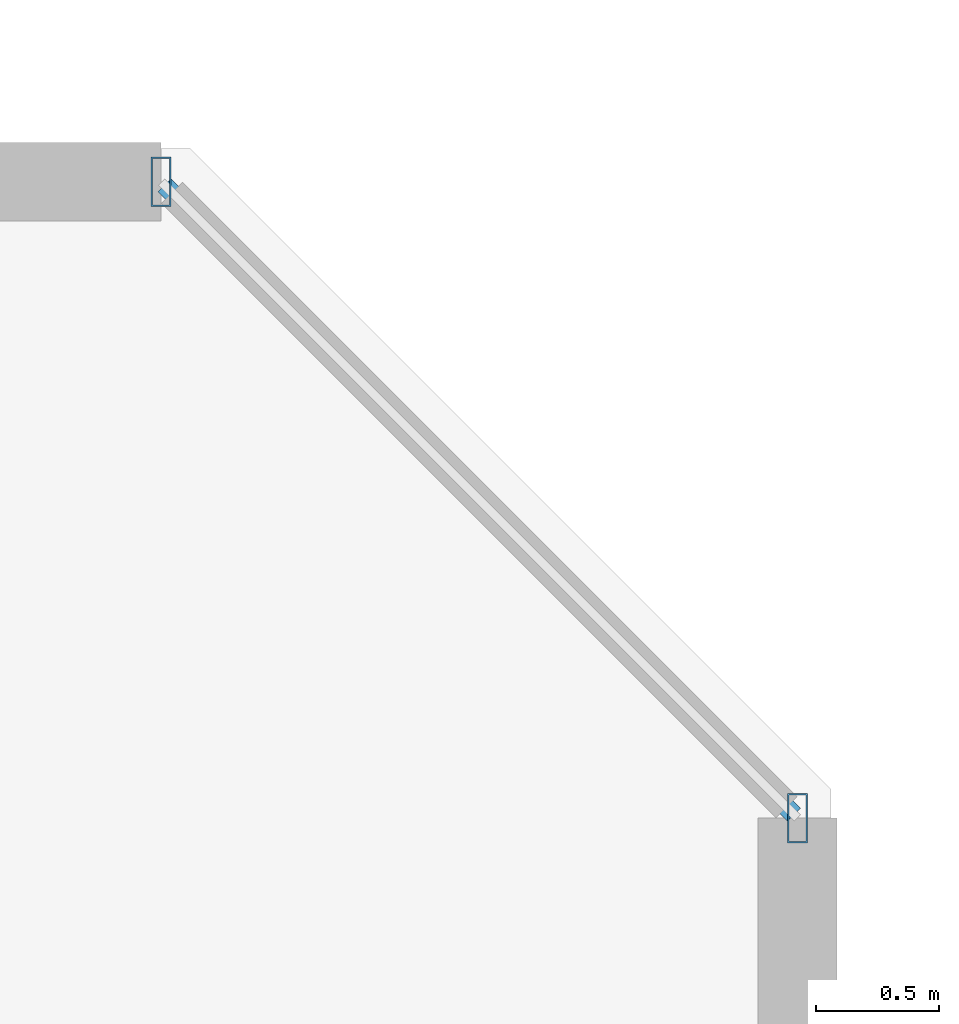
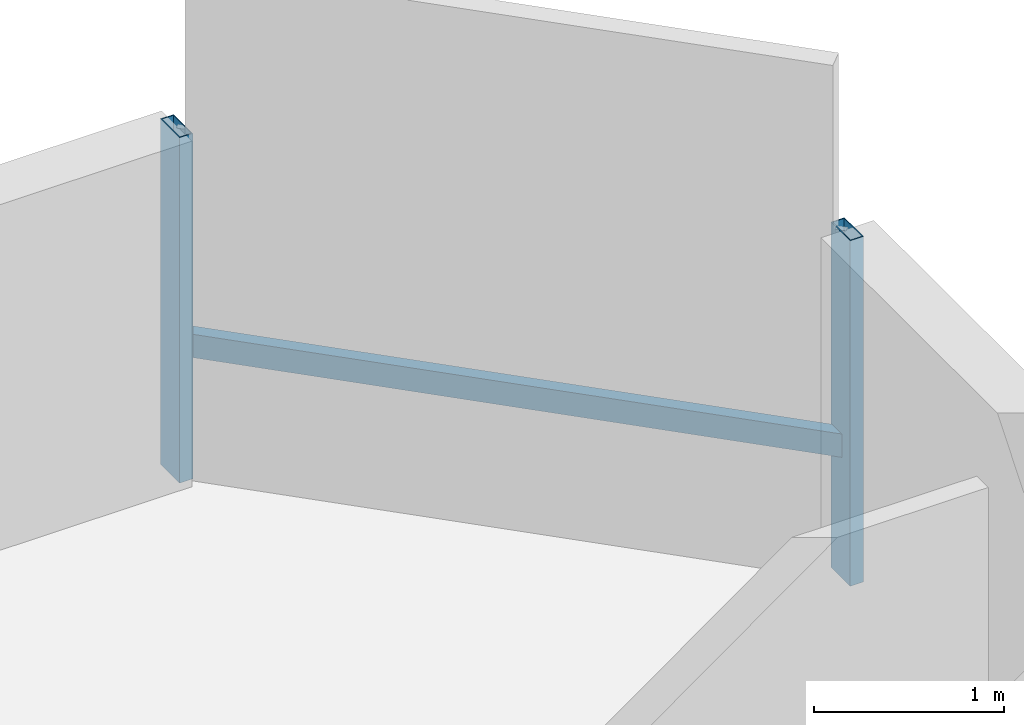
# One storey, part 16 of 35: 3 members, 1 element without a shape of its own.
"""IFC4 building model written with IfcOpenShell, lengths in metres."""

from ifc_helpers import new_model, si_unit, direction, frame, origin, origin_2d, place, context, subcontext, project, spatial, hollow_rectangle, extrude, material, material_profile, profile_set, type_object, element, aggregate, save


model = new_model("IFC4")

# Units and contexts
model_context = context("Model", 3, precision=1e-05, world=origin(), true_north=direction((0.0, 1.0)))
body_context = subcontext(model_context, "Body", "Model", "MODEL_VIEW")
ifc_project = project(units=[si_unit("LENGTHUNIT", "METRE"), si_unit("AREAUNIT", "SQUARE_METRE"), si_unit("VOLUMEUNIT", "CUBIC_METRE"), si_unit("PLANEANGLEUNIT", "RADIAN"), si_unit("MASSUNIT", "GRAM", prefix="KILO")], contexts=[model_context])

# Site, building, storey
site_placement = place(None, origin())
site = spatial("IfcSite", under=ifc_project, at=site_placement, CompositionType="ELEMENT")
building_placement = place(site_placement, origin())
building = spatial("IfcBuilding", under=site, at=building_placement, Name="Thornwick Lancets Civic Towers", CompositionType="ELEMENT")
storey_placement = place(building_placement, frame((0.0, 0.0, 145.5)))
storey = spatial("IfcBuildingStorey", under=building, at=storey_placement, Name="L38", CompositionType="ELEMENT", Elevation=145.5)

# Curtain wall, members
ifc_material_1 = material(Name="Mid-zone chamfered-corner unitised glass curtain wall", Category="glass")
curtain_wall_type = type_object("IfcCurtainWallType", Name="CW_SYS_04", PredefinedType="NOTDEFINED", material=ifc_material_1)
curtain_wall_placement = place(storey_placement, origin())
curtain_wall = element("IfcCurtainWall", 1, at=curtain_wall_placement, inside=storey, type_object=curtain_wall_type, Name="L38 Curtain Wall CW-L38-B-E3", PredefinedType="NOTDEFINED")
ifc_material_2 = material(Name="Thermally broken bronze aluminium S355", Category="steel")
ifc_material_profile_1 = material_profile(ifc_material_2, hollow_rectangle(XDim=0.080078125, YDim=0.199951171875, WallThickness=0.006103515625, at=origin_2d()), Name="RHS 200x80x6")
ifc_profile_set_1 = profile_set([ifc_material_profile_1], Name="Thermally broken bronze aluminium S355")
member_type_1 = type_object("IfcMemberType", Name="CW_MUL_200", PredefinedType="MULLION", material=ifc_profile_set_1)
member_1_placement = place(storey_placement, frame((112.2646484375, 42.181396484375, 0.0), z_axis=(0.0, 0.0, 1.0), x_axis=(1.0, 0.0, 0.0)))
member_1 = element("IfcMember", 2, at=member_1_placement, type_object=member_type_1, Name="CW-L38-B-E3 Mullion 0", PredefinedType="MULLION", context=body_context, shape_type="SweptSolid", body=[
    extrude(hollow_rectangle(XDim=0.080078125, YDim=0.199951171875, WallThickness=0.006103515625, at=origin_2d()), origin(), (0.0, 0.0, 1.0), 2.219970703125),
])
member_2_placement = place(storey_placement, frame((109.681396484375, 44.7646484375, 0.0), z_axis=(0.0, 0.0, 1.0), x_axis=(1.0, 0.0, 0.0)))
member_2 = element("IfcMember", 3, at=member_2_placement, type_object=member_type_1, Name="CW-L38-B-E3 Mullion 1", PredefinedType="MULLION", context=body_context, shape_type="SweptSolid", body=[
    extrude(hollow_rectangle(XDim=0.080078125, YDim=0.199951171875, WallThickness=0.006103515625, at=origin_2d()), origin(), (0.0, 0.0, 1.0), 2.219970703125),
])
ifc_material_profile_2 = material_profile(ifc_material_2, hollow_rectangle(XDim=0.074951171875, YDim=0.14990234375, WallThickness=0.0048828125, at=origin_2d()), Name="RHS 150x75x5")
ifc_profile_set_2 = profile_set([ifc_material_profile_2], Name="Thermally broken bronze aluminium S355")
member_type_2 = type_object("IfcMemberType", Name="CW_TRN_150", PredefinedType="USERDEFINED", material=ifc_profile_set_2)
member_3_placement = place(storey_placement, frame((112.25048828125, 42.195556640625, 0.85009765625), z_axis=(-0.707106781187, 0.707106781187, 0.0), x_axis=(-0.707106781187, -0.707106781187, 0.0)))
member_3 = element("IfcMember", 4, at=member_3_placement, type_object=member_type_2, Name="CW-L38-B-E3 Transom 0", ObjectType="TRANSOM", PredefinedType="USERDEFINED", context=body_context, shape_type="SweptSolid", body=[
    extrude(hollow_rectangle(XDim=0.074951171875, YDim=0.14990234375, WallThickness=0.0048828125, at=origin_2d()), origin(), (0.0, 0.0, 1.0), 3.61328125),
])
aggregate(curtain_wall, [member_1, member_2, member_3])

save(model, "model.ifc")
